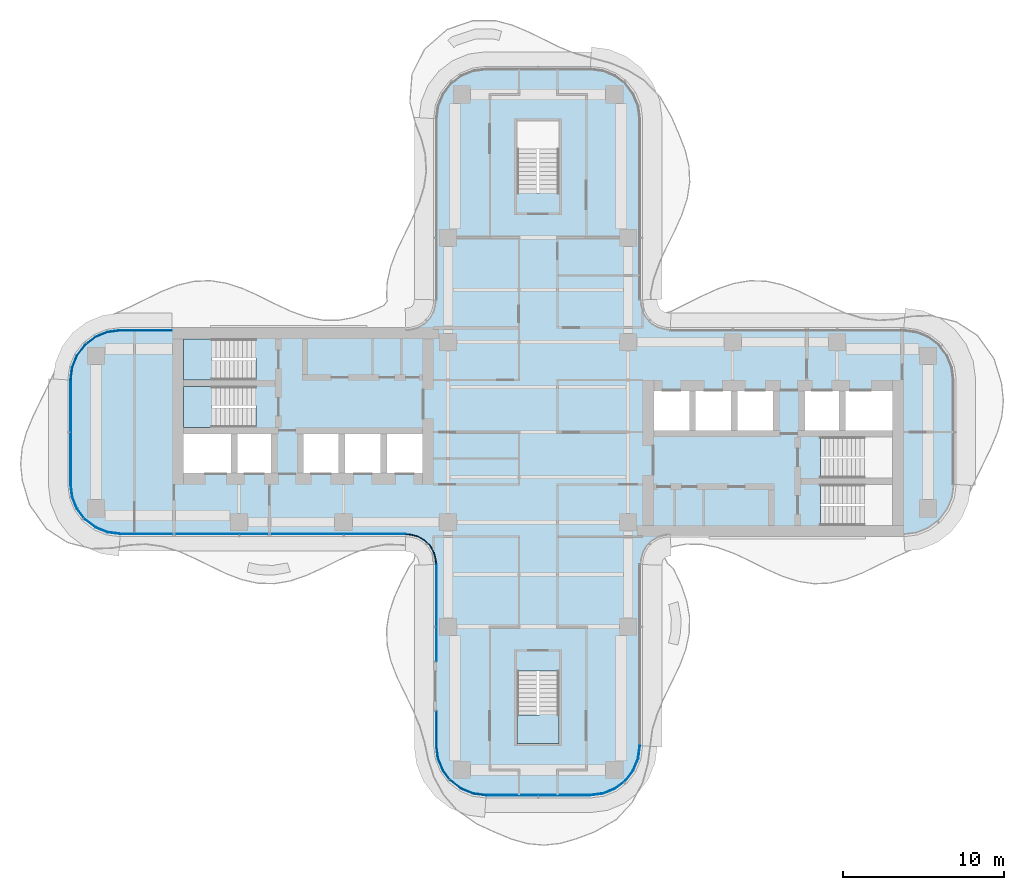
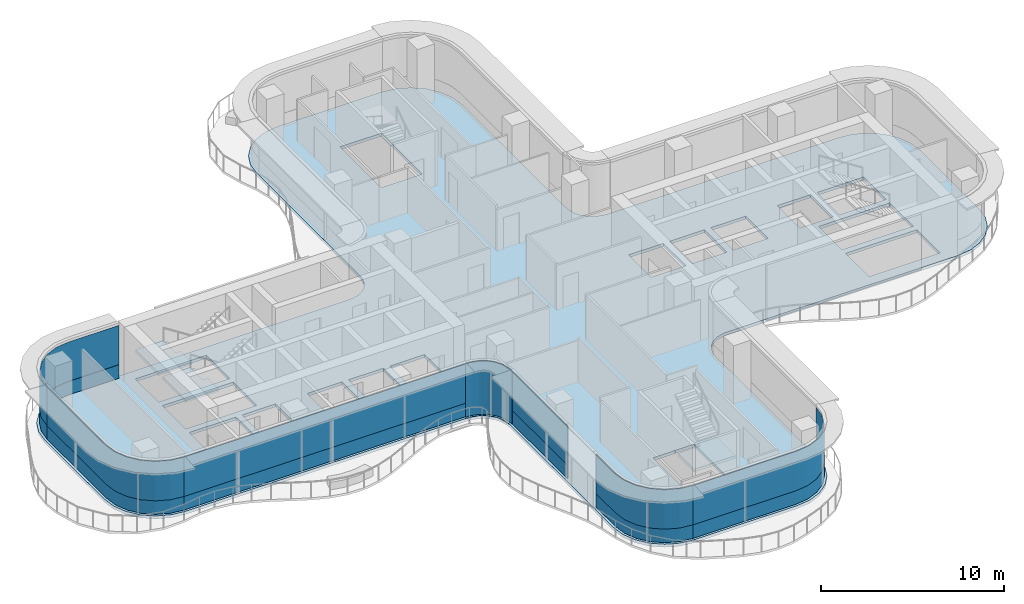
# One storey, part 8 of 16: 13 plates, 4 slabs, 10 elements without a shape of their own.
"""IFC4 building model written with IfcOpenShell, lengths in metres."""

from ifc_helpers import new_model, si_unit, direction, frame, origin, place, context, subcontext, project, spatial, polyline, outline, extrude, source, transform, mapped, material, layer, layer_set, type_object, element, aggregate, save


model = new_model("IFC4")

# Units and contexts
model_context = context("Model", 3, precision=1e-05, world=origin(), true_north=direction((0.0, 1.0)))
body_context = subcontext(model_context, "Body", "Model", "MODEL_VIEW")
ifc_project = project(units=[si_unit("LENGTHUNIT", "METRE"), si_unit("AREAUNIT", "SQUARE_METRE"), si_unit("VOLUMEUNIT", "CUBIC_METRE"), si_unit("PLANEANGLEUNIT", "RADIAN"), si_unit("MASSUNIT", "GRAM", prefix="KILO")], contexts=[model_context])

# Site, building, storey
site_placement = place(None, origin())
site = spatial("IfcSite", under=ifc_project, at=site_placement, CompositionType="ELEMENT")
building_placement = place(site_placement, origin())
building = spatial("IfcBuilding", under=site, at=building_placement, Name="Trellis Farm Tower", CompositionType="ELEMENT")
storey_placement = place(building_placement, frame((0.0, 0.0, 248.0)))
storey = spatial("IfcBuildingStorey", under=building, at=storey_placement, Name="L55", CompositionType="ELEMENT", Elevation=248.0)

# Slab
ifc_material_1 = material(Name="Concrete C40/50", Category="concrete")
ifc_layer_1 = layer(ifc_material_1, 0.199951171875)
ifc_layer_set_1 = layer_set([ifc_layer_1], Name="Composite deck floor slab 200")
slab_type_1 = type_object("IfcSlabType", Name="Composite deck floor slab 200", PredefinedType="FLOOR", material=ifc_layer_set_1)
shared_shape_1 = source(origin(), body_context, "Body", "SweptSolid", [
    extrude(outline(polyline([(-26.84130859375, -6.389404296875), (-27.625, -6.064697265625), (-28.298095703125, -5.548095703125), (-28.814697265625, -4.875), (-29.139404296875, -4.09130859375), (-29.25, -3.25), (-29.25, 3.25), (-29.139404296875, 4.09130859375), (-28.814697265625, 4.875), (-28.298095703125, 5.548095703125), (-27.625, 6.064697265625), (-26.84130859375, 6.389404296875), (-26.0, 6.5), (-8.2314453125, 6.5), (-8.01953125, 6.513916015625), (-7.91552734375, 6.527587890625), (-7.508544921875, 6.63671875), (-7.144287109375, 6.846923828125), (-6.846923828125, 7.144287109375), (-6.63671875, 7.508544921875), (-6.527587890625, 7.91552734375), (-6.513916015625, 8.01953125), (-6.5, 8.2314453125), (-6.5, 19.5), (-6.389404296875, 20.34130859375), (-6.064697265625, 21.125), (-5.548095703125, 21.798095703125), (-4.875, 22.314697265625), (-4.09130859375, 22.639404296875), (-3.25, 22.75), (3.25, 22.75), (4.09130859375, 22.639404296875), (4.875, 22.314697265625), (5.548095703125, 21.798095703125), (6.064697265625, 21.125), (6.389404296875, 20.34130859375), (6.5, 19.5), (6.5, 8.2314453125), (6.513916015625, 8.01953125), (6.527587890625, 7.91552734375), (6.63671875, 7.508544921875), (6.846923828125, 7.144287109375), (7.144287109375, 6.846923828125), (7.508544921875, 6.63671875), (7.91552734375, 6.527587890625), (8.01953125, 6.513916015625), (8.2314453125, 6.5), (22.75, 6.5), (23.59130859375, 6.389404296875), (24.375, 6.064697265625), (25.048095703125, 5.548095703125), (25.564697265625, 4.875), (25.889404296875, 4.09130859375), (26.0, 3.25), (26.0, -3.25), (25.889404296875, -4.09130859375), (25.564697265625, -4.875), (25.048095703125, -5.548095703125), (24.375, -6.064697265625), (23.59130859375, -6.389404296875), (22.75, -6.5), (8.2314453125, -6.5), (8.01953125, -6.513916015625), (7.91552734375, -6.527587890625), (7.508544921875, -6.63671875), (7.144287109375, -6.846923828125), (6.846923828125, -7.144287109375), (6.63671875, -7.508544921875), (6.527587890625, -7.91552734375), (6.513916015625, -8.01953125), (6.5, -8.2314453125), (6.5, -19.5), (6.389404296875, -20.34130859375), (6.064697265625, -21.125), (5.548095703125, -21.798095703125), (4.875, -22.314697265625), (4.09130859375, -22.639404296875), (3.25, -22.75), (-3.25, -22.75), (-4.09130859375, -22.639404296875), (-4.875, -22.314697265625), (-5.548095703125, -21.798095703125), (-6.064697265625, -21.125), (-6.389404296875, -20.34130859375), (-6.5, -19.5), (-6.5, -8.2314453125), (-6.513916015625, -8.01953125), (-6.527587890625, -7.91552734375), (-6.63671875, -7.508544921875), (-6.846923828125, -7.144287109375), (-7.144287109375, -6.846923828125), (-7.508544921875, -6.63671875), (-7.91552734375, -6.527587890625), (-8.01953125, -6.513916015625), (-8.2314453125, -6.5), (-26.0, -6.5), (-26.84130859375, -6.389404296875)]), holes=[polyline([(-22.050048828125, -0.10009765625), (-22.050048828125, -2.550048828125), (-19.10009765625, -2.550048828125), (-19.10009765625, -0.10009765625), (-22.050048828125, -0.10009765625)]), polyline([(-18.699951171875, -0.10009765625), (-18.699951171875, -2.550048828125), (-16.60009765625, -2.550048828125), (-16.60009765625, -0.10009765625), (-18.699951171875, -0.10009765625)]), polyline([(-14.60009765625, -0.10009765625), (-14.60009765625, -2.550048828125), (-12.39990234375, -2.550048828125), (-12.39990234375, -0.10009765625), (-14.60009765625, -0.10009765625)]), polyline([(-12.0, -0.10009765625), (-12.0, -2.550048828125), (-9.800048828125, -2.550048828125), (-9.800048828125, -0.10009765625), (-12.0, -0.10009765625)]), polyline([(-9.39990234375, -0.10009765625), (-9.39990234375, -2.550048828125), (-7.199951171875, -2.550048828125), (-7.199951171875, -0.10009765625), (-9.39990234375, -0.10009765625)]), polyline([(-17.56201171875, 1.64990234375), (-17.56201171875, 2.85009765625), (-22.050048828125, 2.85009765625), (-22.050048828125, 0.300048828125), (-17.56005859375, 0.300048828125), (-17.56005859375, 1.5), (-17.550048828125, 1.5), (-17.550048828125, 1.64990234375), (-17.56201171875, 1.64990234375)]), polyline([(-17.56201171875, 4.60009765625), (-17.56201171875, 5.800048828125), (-22.050048828125, 5.800048828125), (-22.050048828125, 3.25), (-17.56005859375, 3.25), (-17.56005859375, 4.449951171875), (-17.550048828125, 4.449951171875), (-17.550048828125, 4.60009765625), (-17.56201171875, 4.60009765625)]), polyline([(0.10009765625, 14.862060546875), (1.300048828125, 14.862060546875), (1.300048828125, 19.35009765625), (-1.300048828125, 19.35009765625), (-1.300048828125, 14.860107421875), (-0.10009765625, 14.860107421875), (-0.10009765625, 14.85009765625), (0.10009765625, 14.85009765625), (0.10009765625, 14.862060546875)]), polyline([(-0.10009765625, -14.862060546875), (-1.300048828125, -14.862060546875), (-1.300048828125, -19.35009765625), (1.300048828125, -19.35009765625), (1.300048828125, -14.860107421875), (0.10009765625, -14.860107421875), (0.10009765625, -14.85009765625), (-0.10009765625, -14.85009765625), (-0.10009765625, -14.862060546875)]), polyline([(17.56201171875, -4.60009765625), (17.56201171875, -5.800048828125), (22.050048828125, -5.800048828125), (22.050048828125, -3.25), (17.56005859375, -3.25), (17.56005859375, -4.449951171875), (17.550048828125, -4.449951171875), (17.550048828125, -4.60009765625), (17.56201171875, -4.60009765625)]), polyline([(17.56201171875, -1.64990234375), (17.56201171875, -2.85009765625), (22.050048828125, -2.85009765625), (22.050048828125, -0.300048828125), (17.56005859375, -0.300048828125), (17.56005859375, -1.5), (17.550048828125, -1.5), (17.550048828125, -1.64990234375), (17.56201171875, -1.64990234375)]), polyline([(9.39990234375, 0.10009765625), (9.39990234375, 2.550048828125), (7.199951171875, 2.550048828125), (7.199951171875, 0.10009765625), (9.39990234375, 0.10009765625)]), polyline([(12.0, 0.10009765625), (12.0, 2.550048828125), (9.800048828125, 2.550048828125), (9.800048828125, 0.10009765625), (12.0, 0.10009765625)]), polyline([(14.60009765625, 0.10009765625), (14.60009765625, 2.550048828125), (12.39990234375, 2.550048828125), (12.39990234375, 0.10009765625), (14.60009765625, 0.10009765625)]), polyline([(18.699951171875, 0.10009765625), (18.699951171875, 2.550048828125), (16.60009765625, 2.550048828125), (16.60009765625, 0.10009765625), (18.699951171875, 0.10009765625)]), polyline([(22.050048828125, 0.10009765625), (22.050048828125, 2.550048828125), (19.10009765625, 2.550048828125), (19.10009765625, 0.10009765625), (22.050048828125, 0.10009765625)])]), origin(), (0.0, 0.0, 1.0), 0.199951171875),
])
slab_1_placement = place(storey_placement, frame((0.0, 0.0, -0.199951171875)))
element("IfcSlab", 1, at=slab_1_placement, inside=storey, type_object=slab_type_1, Name="Floor slab", PredefinedType="FLOOR", context=body_context, shape_type="MappedRepresentation", body=[
    mapped(shared_shape_1, transform((0.0, 0.0, 0.0))),
])

# Stair, slab
ifc_material_2 = material(Name="Concrete C50/60", Category="concrete")
stair_type = type_object("IfcStairType", Name="CORE EXIT STAIR 22 RISERS 177 MM", PredefinedType="HALF_TURN_STAIR", material=ifc_material_2)
placement_1 = place(storey_placement, origin())
stair_1 = element("IfcStair", 2, at=placement_1, inside=storey, type_object=stair_type, Name="Exit stair S", PredefinedType="HALF_TURN_STAIR")
ifc_layer_2 = layer(ifc_material_2, 0.18994140625)
ifc_layer_set_2 = layer_set([ifc_layer_2], Name="CORE STAIR LANDING 190 CONCRETE C50/60")
slab_type_2 = type_object("IfcSlabType", Name="CORE STAIR LANDING 190 CONCRETE C50/60", PredefinedType="LANDING", material=ifc_layer_set_2)
shared_shape_2 = source(origin(), body_context, "Body", "SweptSolid", [
    extrude(outline(polyline([(1.300048828125, -19.35009765625), (-1.300048828125, -19.35009765625), (-1.300048828125, -17.60009765625), (-1.300048828125, -17.590087890625), (-0.10009765625, -17.590087890625), (-0.10009765625, -17.60009765625), (0.10009765625, -17.60009765625), (0.10009765625, -17.27197265625), (1.300048828125, -17.27197265625), (1.300048828125, -17.60009765625), (1.300048828125, -19.35009765625)])), origin(), (0.0, 0.0, 1.0), 0.18994140625),
])
placement_2 = place(storey_placement, frame((0.0, 0.0, 1.760009765625)))
slab_2 = element("IfcSlab", 3, at=placement_2, type_object=slab_type_2, Name="STS landing 1", PredefinedType="LANDING", context=body_context, shape_type="MappedRepresentation", body=[
    mapped(shared_shape_2, transform((0.0, 0.0, 0.0))),
])
aggregate(stair_1, [slab_2])

stair_2 = element("IfcStair", 4, at=placement_1, inside=storey, type_object=stair_type, Name="Exit stair W1", PredefinedType="HALF_TURN_STAIR")
shared_shape_3 = source(origin(), body_context, "Body", "SweptSolid", [
    extrude(outline(polyline([(-19.971923828125, 4.449951171875), (-19.971923828125, 3.25), (-20.300048828125, 3.25), (-22.050048828125, 3.25), (-22.050048828125, 5.800048828125), (-20.300048828125, 5.800048828125), (-20.2900390625, 5.800048828125), (-20.2900390625, 4.60009765625), (-20.300048828125, 4.60009765625), (-20.300048828125, 4.449951171875), (-19.971923828125, 4.449951171875)])), origin(), (0.0, 0.0, 1.0), 0.18994140625),
])
slab_3 = element("IfcSlab", 5, at=placement_2, type_object=slab_type_2, Name="STW1 landing 1", PredefinedType="LANDING", context=body_context, shape_type="MappedRepresentation", body=[
    mapped(shared_shape_3, transform((0.0, 0.0, 0.0))),
])
aggregate(stair_2, [slab_3])

stair_3 = element("IfcStair", 6, at=placement_1, inside=storey, type_object=stair_type, Name="Exit stair W2", PredefinedType="HALF_TURN_STAIR")
shared_shape_4 = source(origin(), body_context, "Body", "SweptSolid", [
    extrude(outline(polyline([(-19.971923828125, 1.5), (-19.971923828125, 0.300048828125), (-20.300048828125, 0.300048828125), (-22.050048828125, 0.300048828125), (-22.050048828125, 2.85009765625), (-20.300048828125, 2.85009765625), (-20.2900390625, 2.85009765625), (-20.2900390625, 1.64990234375), (-20.300048828125, 1.64990234375), (-20.300048828125, 1.5), (-19.971923828125, 1.5)])), origin(), (0.0, 0.0, 1.0), 0.18994140625),
])
slab_4 = element("IfcSlab", 7, at=placement_2, type_object=slab_type_2, Name="STW2 landing 1", PredefinedType="LANDING", context=body_context, shape_type="MappedRepresentation", body=[
    mapped(shared_shape_4, transform((0.0, 0.0, 0.0))),
])
aggregate(stair_3, [slab_4])

# Curtain wall, plate
ifc_material_3 = material(Name="Aluminium and glass curtain wall", Category="aluminium")
ifc_layer_3 = layer(ifc_material_3, 0.166015625)
ifc_layer_set_3 = layer_set([ifc_layer_3], Name="WINTER GARDEN CURTAIN WALL CW3")
curtain_wall_type_1 = type_object("IfcCurtainWallType", Name="WINTER GARDEN CURTAIN WALL CW3", PredefinedType="NOTDEFINED", material=ifc_layer_set_3)
curtain_wall_1 = element("IfcCurtainWall", 8, at=placement_1, inside=storey, type_object=curtain_wall_type_1, Name="CW3 001", PredefinedType="NOTDEFINED")
ifc_material_4 = material(Name="Clear insulated glass", Category="glass")
ifc_layer_4 = layer(ifc_material_4, 0.0458984375)
ifc_layer_set_4 = layer_set([ifc_layer_4], Name="CW3 GLASS PANEL 46")
plate_type_1 = type_object("IfcPlateType", Name="CW3 GLASS PANEL 46", PredefinedType="CURTAIN_PANEL", material=ifc_layer_set_4)
shared_shape_5 = source(origin(), body_context, "Body", "SweptSolid", [
    extrude(outline(polyline([(-8.2275390625, -6.3798828125), (-8.0078125, -6.394287109375), (-7.89208984375, -6.40966796875), (-7.462158203125, -6.52490234375), (-7.070556640625, -6.7509765625), (-6.7509765625, -7.070556640625), (-6.52490234375, -7.462158203125), (-6.40966796875, -7.89208984375), (-6.394287109375, -8.0078125), (-6.3798828125, -8.2275390625), (-6.333984375, -8.22607421875), (-6.3486328125, -8.003173828125), (-6.364501953125, -7.883056640625), (-6.48193359375, -7.4443359375), (-6.714111328125, -7.04248046875), (-7.04248046875, -6.714111328125), (-7.4443359375, -6.48193359375), (-7.883056640625, -6.364501953125), (-8.003173828125, -6.3486328125), (-8.22607421875, -6.333984375), (-8.2275390625, -6.3798828125)])), origin(), (0.0, 0.0, 1.0), 3.550048828125),
])
plate_1 = element("IfcPlate", 9, at=placement_1, type_object=plate_type_1, Name="PL3 001", PredefinedType="CURTAIN_PANEL", context=body_context, shape_type="MappedRepresentation", body=[
    mapped(shared_shape_5, transform((0.0, 0.0, 0.0))),
])
aggregate(curtain_wall_1, [plate_1])

# Curtain wall, plates
ifc_layer_5 = layer(ifc_material_3, 0.18994140625)
ifc_layer_set_5 = layer_set([ifc_layer_5], Name="RIBBON CURTAIN WALL CW1")
curtain_wall_type_2 = type_object("IfcCurtainWallType", Name="RIBBON CURTAIN WALL CW1", PredefinedType="NOTDEFINED", material=ifc_layer_set_5)
curtain_wall_2 = element("IfcCurtainWall", 10, at=placement_1, inside=storey, type_object=curtain_wall_type_2, Name="CW1 001", PredefinedType="NOTDEFINED")
ifc_layer_6 = layer(ifc_material_4, 0.0400390625)
ifc_layer_set_6 = layer_set([ifc_layer_6], Name="CW1 GLASS PANEL 40")
plate_type_2 = type_object("IfcPlateType", Name="CW1 GLASS PANEL 40", PredefinedType="CURTAIN_PANEL", material=ifc_layer_set_6)
shared_shape_6 = source(origin(), body_context, "Body", "SweptSolid", [
    extrude(outline(polyline([(-25.990234375, -6.35009765625), (-8.2265625, -6.35009765625), (-8.22509765625, -6.31005859375), (-25.987548828125, -6.31005859375), (-25.990234375, -6.35009765625)])), origin(), (0.0, 0.0, 1.0), 2.6201171875),
])
placement_3 = place(storey_placement, frame((0.0, 0.0, 0.89990234375)))
plate_2 = element("IfcPlate", 11, at=placement_3, type_object=plate_type_2, Name="PL1 001", PredefinedType="CURTAIN_PANEL", context=body_context, shape_type="MappedRepresentation", body=[
    mapped(shared_shape_6, transform((0.0, 0.0, 0.0))),
])
ifc_material_5 = material(Name="Sandstone faced insulated panel", Category="masonry")
ifc_layer_7 = layer(ifc_material_5, 0.050048828125)
ifc_layer_set_7 = layer_set([ifc_layer_7], Name="CW1 STONE SPANDREL PANEL 50")
plate_type_3 = type_object("IfcPlateType", Name="CW1 STONE SPANDREL PANEL 50", PredefinedType="CURTAIN_PANEL", material=ifc_layer_set_7)
shared_shape_7 = source(origin(), body_context, "Body", "SweptSolid", [
    extrude(outline(polyline([(-25.990234375, -6.35009765625), (-8.2265625, -6.35009765625), (-8.224853515625, -6.300048828125), (-25.98681640625, -6.300048828125), (-25.990234375, -6.35009765625)])), origin(), (0.0, 0.0, 1.0), 0.89990234375),
])
plate_3 = element("IfcPlate", 12, at=placement_1, type_object=plate_type_3, Name="PS1 001", PredefinedType="CURTAIN_PANEL", context=body_context, shape_type="MappedRepresentation", body=[
    mapped(shared_shape_7, transform((0.0, 0.0, 0.0))),
])
aggregate(curtain_wall_2, [plate_2, plate_3])

curtain_wall_3 = element("IfcCurtainWall", 13, at=placement_1, inside=storey, type_object=curtain_wall_type_2, Name="CW1 012", PredefinedType="NOTDEFINED")
shared_shape_8 = source(origin(), body_context, "Body", "SweptSolid", [
    extrude(outline(polyline([(-22.780029296875, 6.35009765625), (-25.990234375, 6.35009765625), (-26.802001953125, 6.2431640625), (-27.54931640625, 5.93359375), (-28.191162109375, 5.441162109375), (-28.68359375, 4.79931640625), (-28.9931640625, 4.052001953125), (-29.10009765625, 3.240234375), (-29.06005859375, 3.237548828125), (-28.9541015625, 4.04150390625), (-28.648681640625, 4.779296875), (-28.16259765625, 5.41259765625), (-27.529296875, 5.898681640625), (-26.79150390625, 6.2041015625), (-25.987548828125, 6.31005859375), (-22.780029296875, 6.31005859375), (-22.780029296875, 6.35009765625)])), origin(), (0.0, 0.0, 1.0), 2.6201171875),
])
plate_4 = element("IfcPlate", 14, at=placement_3, type_object=plate_type_2, Name="PL1 012", PredefinedType="CURTAIN_PANEL", context=body_context, shape_type="MappedRepresentation", body=[
    mapped(shared_shape_8, transform((0.0, 0.0, 0.0))),
])
shared_shape_9 = source(origin(), body_context, "Body", "SweptSolid", [
    extrude(outline(polyline([(-22.780029296875, 6.35009765625), (-25.990234375, 6.35009765625), (-26.802001953125, 6.2431640625), (-27.54931640625, 5.93359375), (-28.191162109375, 5.441162109375), (-28.68359375, 4.79931640625), (-28.9931640625, 4.052001953125), (-29.10009765625, 3.240234375), (-29.050048828125, 3.23681640625), (-28.9443359375, 4.0390625), (-28.639892578125, 4.774169921875), (-28.155517578125, 5.405517578125), (-27.524169921875, 5.889892578125), (-26.7890625, 6.1943359375), (-25.98681640625, 6.300048828125), (-22.780029296875, 6.300048828125), (-22.780029296875, 6.35009765625)])), origin(), (0.0, 0.0, 1.0), 0.89990234375),
])
plate_5 = element("IfcPlate", 15, at=placement_1, type_object=plate_type_3, Name="PS1 012", PredefinedType="CURTAIN_PANEL", context=body_context, shape_type="MappedRepresentation", body=[
    mapped(shared_shape_9, transform((0.0, 0.0, 0.0))),
])
aggregate(curtain_wall_3, [plate_4, plate_5])

curtain_wall_4 = element("IfcCurtainWall", 16, at=placement_1, inside=storey, type_object=curtain_wall_type_2, Name="CW1 013", PredefinedType="NOTDEFINED")
shared_shape_10 = source(origin(), body_context, "Body", "SweptSolid", [
    extrude(outline(polyline([(-29.10009765625, 3.240234375), (-29.10009765625, -3.240234375), (-28.9931640625, -4.052001953125), (-28.68359375, -4.79931640625), (-28.191162109375, -5.441162109375), (-27.54931640625, -5.93359375), (-26.802001953125, -6.2431640625), (-25.990234375, -6.35009765625), (-25.987548828125, -6.31005859375), (-26.79150390625, -6.2041015625), (-27.529296875, -5.898681640625), (-28.16259765625, -5.41259765625), (-28.648681640625, -4.779296875), (-28.9541015625, -4.04150390625), (-29.06005859375, -3.237548828125), (-29.06005859375, 3.237548828125), (-29.10009765625, 3.240234375)])), origin(), (0.0, 0.0, 1.0), 2.6201171875),
])
plate_6 = element("IfcPlate", 17, at=placement_3, type_object=plate_type_2, Name="PL1 013", PredefinedType="CURTAIN_PANEL", context=body_context, shape_type="MappedRepresentation", body=[
    mapped(shared_shape_10, transform((0.0, 0.0, 0.0))),
])
shared_shape_11 = source(origin(), body_context, "Body", "SweptSolid", [
    extrude(outline(polyline([(-29.10009765625, 3.240234375), (-29.10009765625, -3.240234375), (-28.9931640625, -4.052001953125), (-28.68359375, -4.79931640625), (-28.191162109375, -5.441162109375), (-27.54931640625, -5.93359375), (-26.802001953125, -6.2431640625), (-25.990234375, -6.35009765625), (-25.98681640625, -6.300048828125), (-26.7890625, -6.1943359375), (-27.524169921875, -5.889892578125), (-28.155517578125, -5.405517578125), (-28.639892578125, -4.774169921875), (-28.9443359375, -4.0390625), (-29.050048828125, -3.23681640625), (-29.050048828125, 3.23681640625), (-29.10009765625, 3.240234375)])), origin(), (0.0, 0.0, 1.0), 0.89990234375),
])
plate_7 = element("IfcPlate", 18, at=placement_1, type_object=plate_type_3, Name="PS1 013", PredefinedType="CURTAIN_PANEL", context=body_context, shape_type="MappedRepresentation", body=[
    mapped(shared_shape_11, transform((0.0, 0.0, 0.0))),
])
aggregate(curtain_wall_4, [plate_6, plate_7])

curtain_wall_5 = element("IfcCurtainWall", 19, at=placement_1, inside=storey, type_object=curtain_wall_type_2, Name="CW1 004", PredefinedType="NOTDEFINED")
shared_shape_12 = source(origin(), body_context, "Body", "SweptSolid", [
    extrude(outline(polyline([(-3.240234375, -22.60009765625), (3.240234375, -22.60009765625), (4.052001953125, -22.4931640625), (4.79931640625, -22.18359375), (5.441162109375, -21.691162109375), (5.93359375, -21.04931640625), (6.2431640625, -20.302001953125), (6.35009765625, -19.490234375), (6.31005859375, -19.487548828125), (6.2041015625, -20.29150390625), (5.898681640625, -21.029296875), (5.41259765625, -21.66259765625), (4.779296875, -22.148681640625), (4.04150390625, -22.4541015625), (3.237548828125, -22.56005859375), (-3.237548828125, -22.56005859375), (-3.240234375, -22.60009765625)])), origin(), (0.0, 0.0, 1.0), 2.6201171875),
])
plate_8 = element("IfcPlate", 20, at=placement_3, type_object=plate_type_2, Name="PL1 004", PredefinedType="CURTAIN_PANEL", context=body_context, shape_type="MappedRepresentation", body=[
    mapped(shared_shape_12, transform((0.0, 0.0, 0.0))),
])
shared_shape_13 = source(origin(), body_context, "Body", "SweptSolid", [
    extrude(outline(polyline([(-3.240234375, -22.60009765625), (3.240234375, -22.60009765625), (4.052001953125, -22.4931640625), (4.79931640625, -22.18359375), (5.441162109375, -21.691162109375), (5.93359375, -21.04931640625), (6.2431640625, -20.302001953125), (6.35009765625, -19.490234375), (6.300048828125, -19.48681640625), (6.1943359375, -20.2890625), (5.889892578125, -21.024169921875), (5.405517578125, -21.655517578125), (4.774169921875, -22.139892578125), (4.0390625, -22.4443359375), (3.23681640625, -22.550048828125), (-3.23681640625, -22.550048828125), (-3.240234375, -22.60009765625)])), origin(), (0.0, 0.0, 1.0), 0.89990234375),
])
plate_9 = element("IfcPlate", 21, at=placement_1, type_object=plate_type_3, Name="PS1 004", PredefinedType="CURTAIN_PANEL", context=body_context, shape_type="MappedRepresentation", body=[
    mapped(shared_shape_13, transform((0.0, 0.0, 0.0))),
])
aggregate(curtain_wall_5, [plate_8, plate_9])

# Curtain wall, plate
curtain_wall_6 = element("IfcCurtainWall", 22, at=placement_1, inside=storey, type_object=curtain_wall_type_2, Name="CW1 002", PredefinedType="NOTDEFINED")
shared_shape_14 = source(origin(), body_context, "Body", "SweptSolid", [
    extrude(outline(polyline([(-6.35009765625, -8.2265625), (-6.35009765625, -14.239990234375), (-6.300048828125, -14.239990234375), (-6.300048828125, -8.224853515625), (-6.35009765625, -8.2265625)])), origin(), (0.0, 0.0, 1.0), 0.89990234375),
])
plate_10 = element("IfcPlate", 23, at=placement_1, type_object=plate_type_3, Name="PS1 002", PredefinedType="CURTAIN_PANEL", context=body_context, shape_type="MappedRepresentation", body=[
    mapped(shared_shape_14, transform((0.0, 0.0, 0.0))),
])

curtain_wall_7 = element("IfcCurtainWall", 24, at=placement_1, inside=storey, type_object=curtain_wall_type_2, Name="CW1 003", PredefinedType="NOTDEFINED")
shared_shape_15 = source(origin(), body_context, "Body", "SweptSolid", [
    extrude(outline(polyline([(-6.35009765625, -17.360107421875), (-6.35009765625, -19.490234375), (-6.2431640625, -20.302001953125), (-5.93359375, -21.04931640625), (-5.441162109375, -21.691162109375), (-4.79931640625, -22.18359375), (-4.052001953125, -22.4931640625), (-3.240234375, -22.60009765625), (-3.23681640625, -22.550048828125), (-4.0390625, -22.4443359375), (-4.774169921875, -22.139892578125), (-5.405517578125, -21.655517578125), (-5.889892578125, -21.024169921875), (-6.1943359375, -20.2890625), (-6.300048828125, -19.48681640625), (-6.300048828125, -17.360107421875), (-6.35009765625, -17.360107421875)])), origin(), (0.0, 0.0, 1.0), 0.89990234375),
])
plate_11 = element("IfcPlate", 25, at=placement_1, type_object=plate_type_3, Name="PS1 003", PredefinedType="CURTAIN_PANEL", context=body_context, shape_type="MappedRepresentation", body=[
    mapped(shared_shape_15, transform((0.0, 0.0, 0.0))),
])

# Plate
shared_shape_16 = source(origin(), body_context, "Body", "SweptSolid", [
    extrude(outline(polyline([(-6.35009765625, -8.2265625), (-6.35009765625, -14.239990234375), (-6.31005859375, -14.239990234375), (-6.31005859375, -8.22509765625), (-6.35009765625, -8.2265625)])), origin(), (0.0, 0.0, 1.0), 2.6201171875),
])
plate_12 = element("IfcPlate", 26, at=placement_3, type_object=plate_type_2, Name="PL1 002", PredefinedType="CURTAIN_PANEL", context=body_context, shape_type="MappedRepresentation", body=[
    mapped(shared_shape_16, transform((0.0, 0.0, 0.0))),
])

aggregate(curtain_wall_6, [plate_12, plate_10])

shared_shape_17 = source(origin(), body_context, "Body", "SweptSolid", [
    extrude(outline(polyline([(-6.35009765625, -17.360107421875), (-6.35009765625, -19.490234375), (-6.2431640625, -20.302001953125), (-5.93359375, -21.04931640625), (-5.441162109375, -21.691162109375), (-4.79931640625, -22.18359375), (-4.052001953125, -22.4931640625), (-3.240234375, -22.60009765625), (-3.237548828125, -22.56005859375), (-4.04150390625, -22.4541015625), (-4.779296875, -22.148681640625), (-5.41259765625, -21.66259765625), (-5.898681640625, -21.029296875), (-6.2041015625, -20.29150390625), (-6.31005859375, -19.487548828125), (-6.31005859375, -17.360107421875), (-6.35009765625, -17.360107421875)])), origin(), (0.0, 0.0, 1.0), 2.6201171875),
])
plate_13 = element("IfcPlate", 27, at=placement_3, type_object=plate_type_2, Name="PL1 003", PredefinedType="CURTAIN_PANEL", context=body_context, shape_type="MappedRepresentation", body=[
    mapped(shared_shape_17, transform((0.0, 0.0, 0.0))),
])

aggregate(curtain_wall_7, [plate_13, plate_11])

save(model, "model.ifc")
